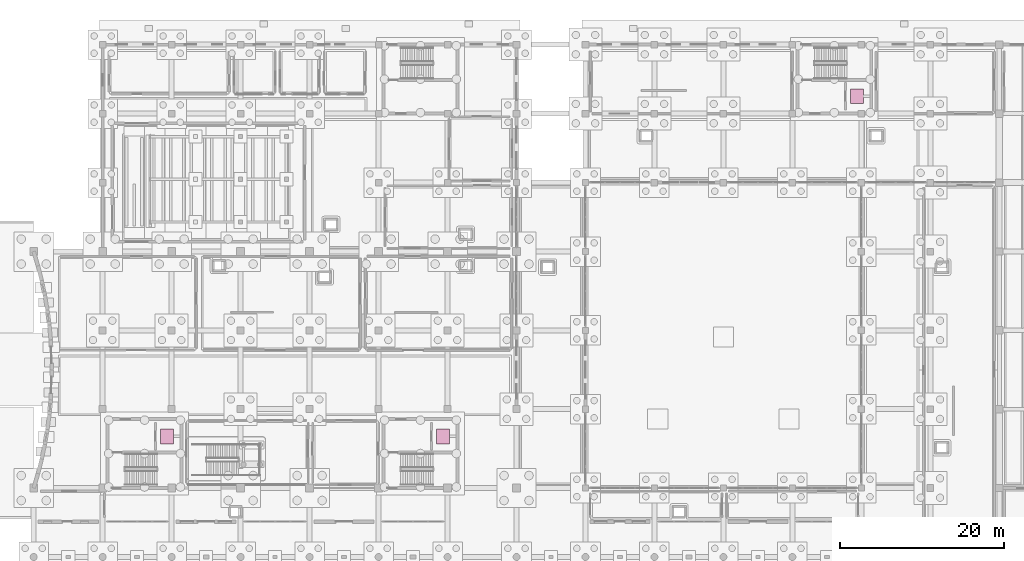
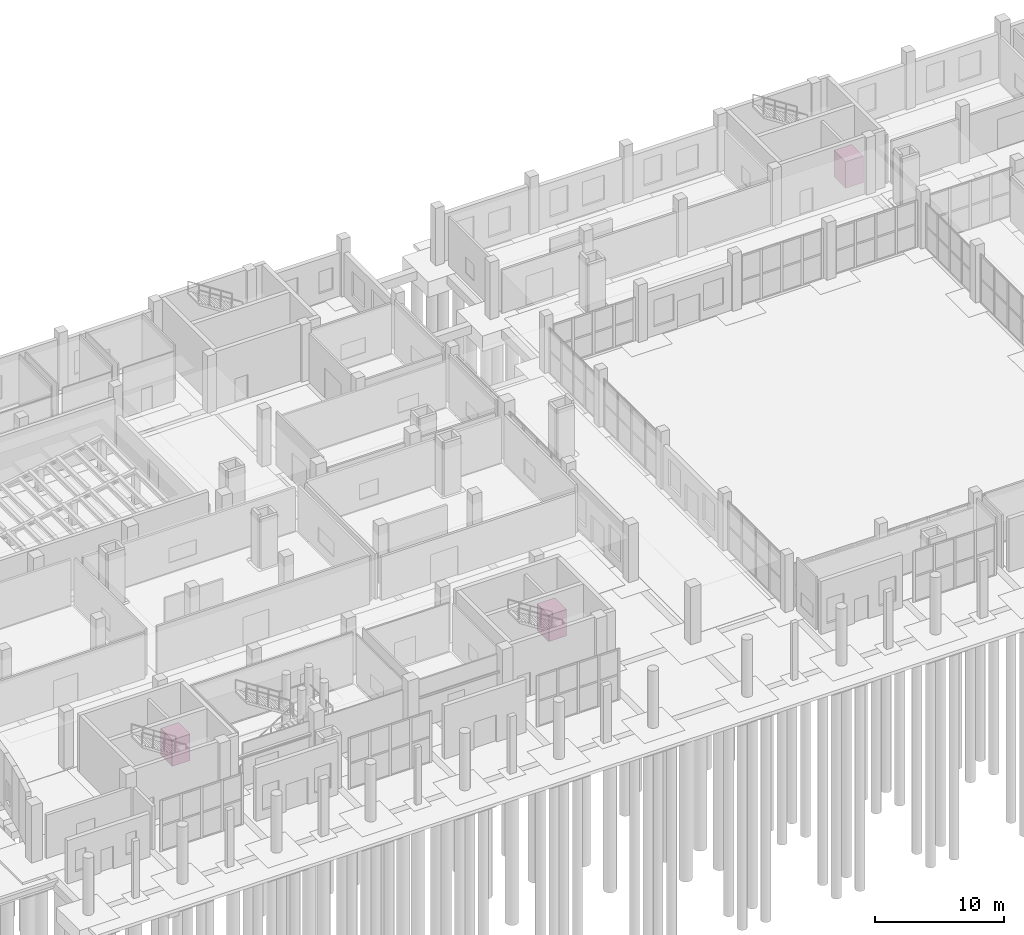
# One storey, part 65 of 65: 3 transport elements.
"""IFC4 building model written with IfcOpenShell, lengths in metres."""

from ifc_helpers import new_model, si_unit, direction, frame, origin, origin_2d, place, context, subcontext, project, spatial, rectangle, extrude, material, type_object, element, save


model = new_model("IFC4")

# Units and contexts
model_context = context("Model", 3, precision=1e-05, world=origin(), true_north=direction((0.0, 1.0)))
body_context = subcontext(model_context, "Body", "Model", "MODEL_VIEW")
ifc_project = project(units=[si_unit("LENGTHUNIT", "METRE"), si_unit("AREAUNIT", "SQUARE_METRE"), si_unit("VOLUMEUNIT", "CUBIC_METRE"), si_unit("PLANEANGLEUNIT", "RADIAN"), si_unit("MASSUNIT", "GRAM", prefix="KILO")], contexts=[model_context])

# Site, building, storey
site_placement = place(None, origin())
site = spatial("IfcSite", under=ifc_project, at=site_placement, CompositionType="ELEMENT")
building_placement = place(site_placement, origin())
building = spatial("IfcBuilding", under=site, at=building_placement, Name="Zulmaris Art Gallery", CompositionType="ELEMENT")
storey_placement = place(building_placement, origin())
storey = spatial("IfcBuildingStorey", under=building, at=storey_placement, Name="L00", CompositionType="ELEMENT", Elevation=0.0)

# Transport elements
ifc_material = material(Name="Brushed Bronze & Stainless Lift Car", Category="steel")
transport_element_type = type_object("IfcTransportElementType", Name="TRANS-LFT-PAX", PredefinedType="ELEVATOR", material=ifc_material)
for number, where, z_axis, x_axis, name in (
    (1, (40.25, 27.885009765625, 0.0), (0.0, 0.0, 1.0), (1.0, 0.0, 0.0), "Passenger Lift LF-P1"),
    (2, (73.85009765625, 27.885009765625, 0.0), (0.0, 0.0, 1.0), (1.0, 0.0, 0.0), "Passenger Lift LF-P2"),
    (3, (124.25, 69.31494140625, 0.0), (0.0, 0.0, 1.0), (1.0, 0.0, 0.0), "Passenger Lift LF-P3"),
):
    element("IfcTransportElement", number, at=place(storey_placement, frame(where, z_axis=z_axis, x_axis=x_axis)), inside=storey, type_object=transport_element_type, Name=name, PredefinedType="ELEVATOR", context=body_context, shape_type="SweptSolid", body=[
        extrude(rectangle(XDim=1.60009765625, YDim=1.800048828125, at=origin_2d()), origin(), (0.0, 0.0, 1.0), 2.5),
    ])

save(model, "model.ifc")
